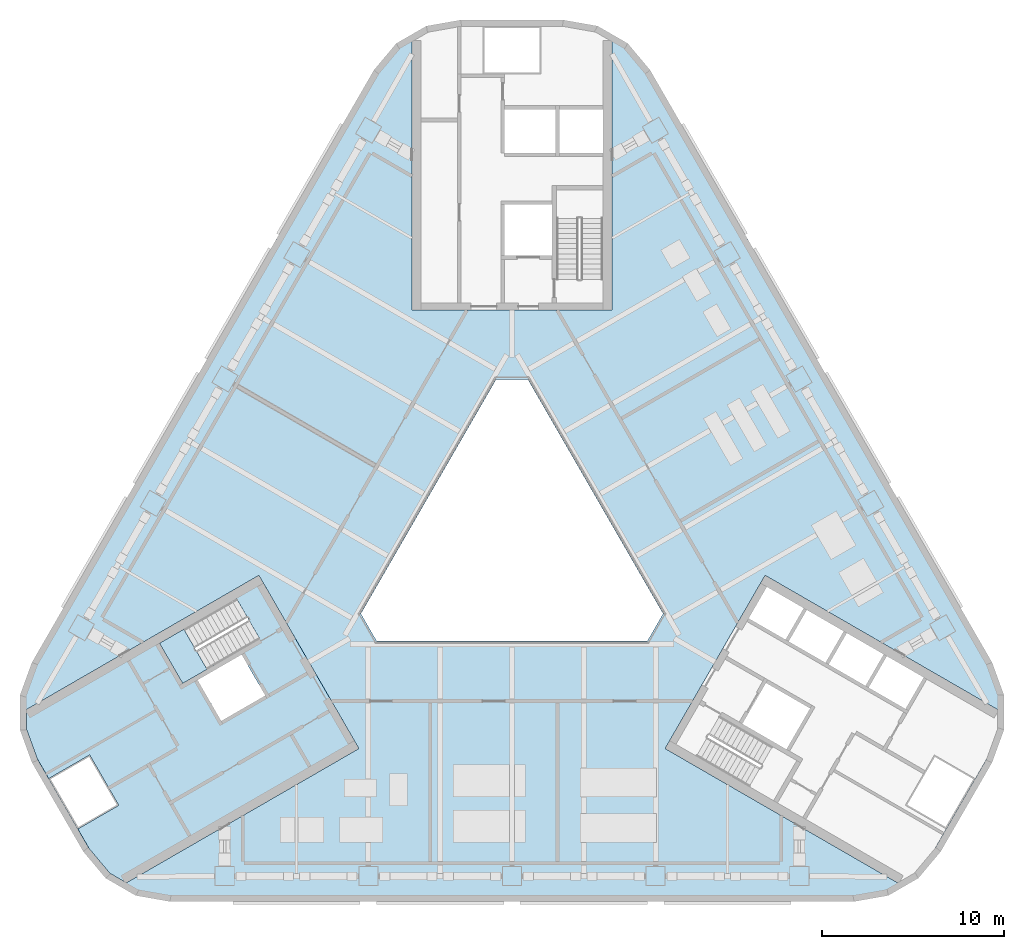
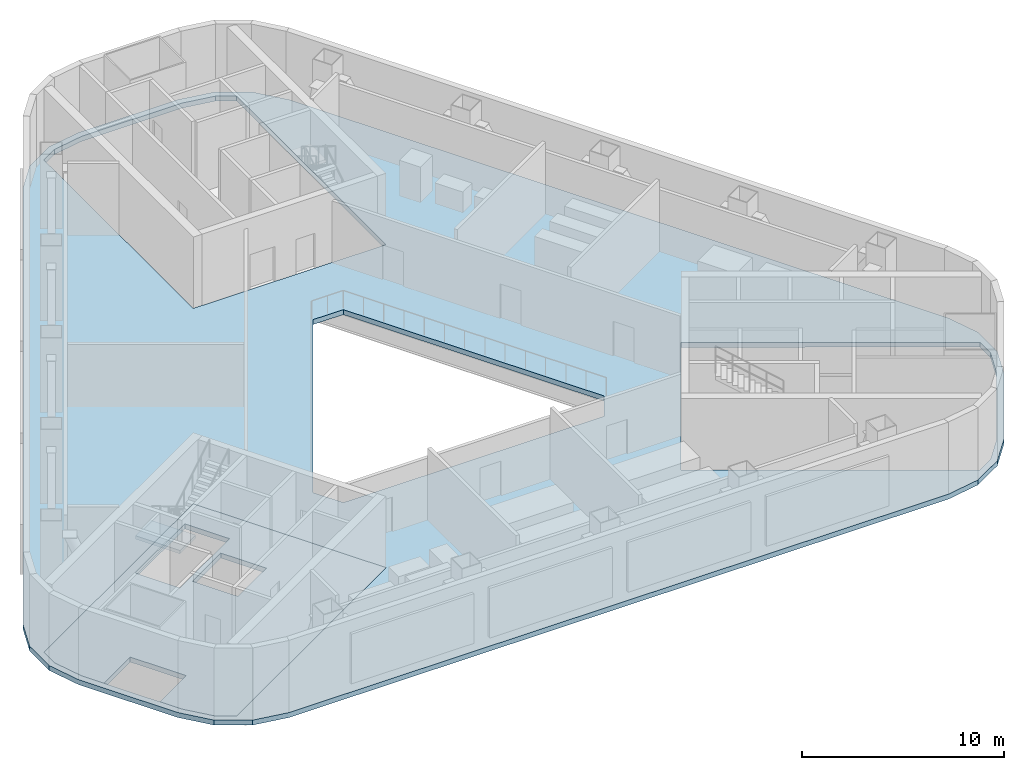
# One storey, part 4 of 14: 3 slabs, 1 element without a shape of its own.
"""IFC4 building model written with IfcOpenShell, lengths in metres."""

from ifc_helpers import new_model, si_unit, direction, frame, origin, place, context, subcontext, project, spatial, polyline, outline, extrude, material, layer, layer_set, type_object, element, aggregate, save


model = new_model("IFC4")

# Units and contexts
model_context = context("Model", 3, precision=1e-05, world=origin(), true_north=direction((0.0, 1.0)))
body_context = subcontext(model_context, "Body", "Model", "MODEL_VIEW")
ifc_project = project(units=[si_unit("LENGTHUNIT", "METRE"), si_unit("AREAUNIT", "SQUARE_METRE"), si_unit("VOLUMEUNIT", "CUBIC_METRE"), si_unit("PLANEANGLEUNIT", "RADIAN"), si_unit("MASSUNIT", "GRAM", prefix="KILO")], contexts=[model_context])

# Site, building, storey
site_placement = place(None, origin())
site = spatial("IfcSite", under=ifc_project, at=site_placement, CompositionType="ELEMENT")
building_placement = place(site_placement, origin())
building = spatial("IfcBuilding", under=site, at=building_placement, Name="Apuvela Tower Hotel", CompositionType="ELEMENT")
storey_placement = place(building_placement, frame((0.0, 0.0, 42.0)))
storey = spatial("IfcBuildingStorey", under=building, at=storey_placement, Name="L07 Plant", CompositionType="ELEMENT", Elevation=42.0)

# Slab
ifc_material_1 = material(Name="Concrete C50/60", Category="concrete")
ifc_layer_1 = layer(ifc_material_1, 0.300048828125)
ifc_layer_set_1 = layer_set([ifc_layer_1], Name="COR-FLOOR-300")
slab_type_1 = type_object("IfcSlabType", Name="COR-FLOOR-300", PredefinedType="FLOOR", material=ifc_layer_set_1)
slab_1_placement = place(storey_placement, frame((0.0, 0.0, -0.300048828125)))
element("IfcSlab", 1, at=slab_1_placement, inside=storey, type_object=slab_type_1, Name="Core floor SW", PredefinedType="FLOOR", context=body_context, shape_type="SweptSolid", body=[
    extrude(outline(polyline([(-26.711181640625, -9.07080078125), (-26.711181640625, -10.123291015625), (-26.109375, -11.77734375), (-25.481689453125, -12.864501953125), (-23.22998046875, -11.564453125), (-21.630126953125, -14.335693359375), (-23.881591796875, -15.635498046875), (-23.254150390625, -16.72265625), (-22.122802734375, -18.071044921875), (-21.211181640625, -18.59716796875), (-8.421630859375, -11.213134765625), (-13.921630859375, -1.68701171875), (-26.711181640625, -9.07080078125)]), holes=[polyline([(-13.874267578125, -5.18115234375), (-18.112548828125, -7.628173828125), (-19.387451171875, -5.419921875), (-15.149169921875, -2.972900390625), (-13.874267578125, -5.18115234375)]), polyline([(-13.56982421875, -8.29638671875), (-15.99462890625, -9.6962890625), (-17.294677734375, -7.444580078125), (-14.869873046875, -6.044677734375), (-13.56982421875, -8.29638671875)])]), origin(), (0.0, 0.0, 1.0), 0.300048828125),
])

# Stair, slab
stair_type = type_object("IfcStairType", Name="COR-STAIR-26R", PredefinedType="HALF_TURN_STAIR", material=ifc_material_1)
stair_placement = place(storey_placement, origin())
stair = element("IfcStair", 2, at=stair_placement, inside=storey, type_object=stair_type, Name="L07 Plant Exit stair ST2", PredefinedType="HALF_TURN_STAIR")
ifc_layer_2 = layer(ifc_material_1, 0.199951171875)
ifc_layer_set_2 = layer_set([ifc_layer_2], Name="COR-LANDING-200")
slab_type_2 = type_object("IfcSlabType", Name="COR-LANDING-200", PredefinedType="LANDING", material=ifc_layer_set_2)
slab_2_placement = place(storey_placement, frame((0.0, 0.0, 2.050048828125)))
slab_2 = element("IfcSlab", 3, at=slab_2_placement, type_object=slab_type_2, Name="ST2 landing 1", PredefinedType="LANDING", context=body_context, shape_type="SweptSolid", body=[
    extrude(outline(polyline([(-18.048583984375, -4.64697265625), (-19.387451171875, -5.419921875), (-18.112548828125, -7.628173828125), (-16.773681640625, -6.855224609375), (-18.048583984375, -4.64697265625)])), origin(), (0.0, 0.0, 1.0), 0.199951171875),
])
aggregate(stair, [slab_2])

# Slab
ifc_material_2 = material(Name="Concrete C35/45", Category="concrete")
ifc_layer_3 = layer(ifc_material_2, 0.300048828125)
ifc_layer_set_3 = layer_set([ifc_layer_3], Name="STR-SLAB 300 floor Concrete C35/45")
slab_type_3 = type_object("IfcSlabType", Name="STR-SLAB 300 floor Concrete C35/45", PredefinedType="FLOOR", material=ifc_layer_set_3)
slab_3_placement = place(storey_placement, frame((0.0, 0.0, -0.300048828125)))
element("IfcSlab", 4, at=slab_3_placement, inside=storey, type_object=slab_type_3, Name="Floor slab S2 L07 Plant", PredefinedType="FLOOR", context=body_context, shape_type="SweptSolid", body=[
    extrude(outline(polyline([(7.59228515625, 26.110107421875), (6.3642578125, 27.5732421875), (4.710205078125, 28.5283203125), (2.8291015625, 28.860107421875), (-2.8291015625, 28.860107421875), (-4.710205078125, 28.5283203125), (-6.3642578125, 27.5732421875), (-7.59228515625, 26.110107421875), (-26.407958984375, -6.47998046875), (-27.061279296875, -8.27490234375), (-27.061279296875, -10.18505859375), (-26.407958984375, -11.97998046875), (-23.5791015625, -16.8798828125), (-22.351318359375, -18.34326171875), (-20.697021484375, -19.29833984375), (-18.81591796875, -19.6298828125), (18.81591796875, -19.6298828125), (20.697021484375, -19.29833984375), (22.351318359375, -18.34326171875), (23.5791015625, -16.8798828125), (26.407958984375, -11.97998046875), (27.061279296875, -10.18505859375), (27.061279296875, -8.27490234375), (26.407958984375, -6.47998046875), (7.59228515625, 26.110107421875)]), holes=[polyline([(0.865966796875, 9.10009765625), (-0.865966796875, 9.10009765625), (-8.313720703125, -3.800048828125), (-7.44775390625, -5.300048828125), (7.44775390625, -5.300048828125), (8.313720703125, -3.800048828125), (0.865966796875, 9.10009765625)]), polyline([(-5.5, 12.89990234375), (-5.5, 27.668212890625), (-4.588623046875, 28.1943359375), (-2.85498046875, 28.5), (2.85498046875, 28.5), (4.588623046875, 28.1943359375), (5.5, 27.668212890625), (5.5, 12.89990234375), (-5.5, 12.89990234375)]), polyline([(-8.421630859375, -11.213134765625), (-21.211181640625, -18.59716796875), (-22.122802734375, -18.071044921875), (-23.254150390625, -16.72265625), (-26.109375, -11.77734375), (-26.711181640625, -10.123291015625), (-26.711181640625, -9.07080078125), (-13.921630859375, -1.68701171875), (-8.421630859375, -11.213134765625)]), polyline([(13.921630859375, -1.68701171875), (26.711181640625, -9.07080078125), (26.711181640625, -10.123291015625), (26.109375, -11.77734375), (23.254150390625, -16.72265625), (22.122802734375, -18.071044921875), (21.211181640625, -18.59716796875), (8.421630859375, -11.213134765625), (13.921630859375, -1.68701171875)])]), origin(), (0.0, 0.0, 1.0), 0.300048828125),
])

save(model, "model.ifc")
